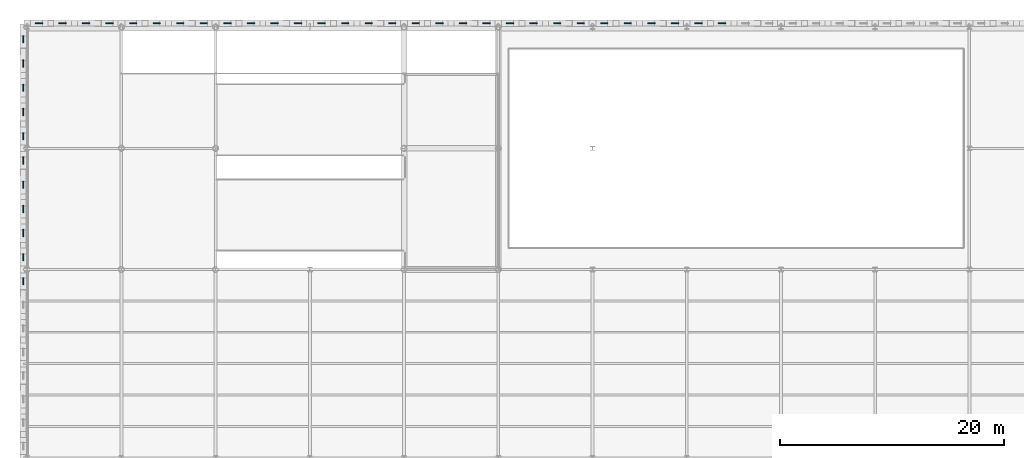
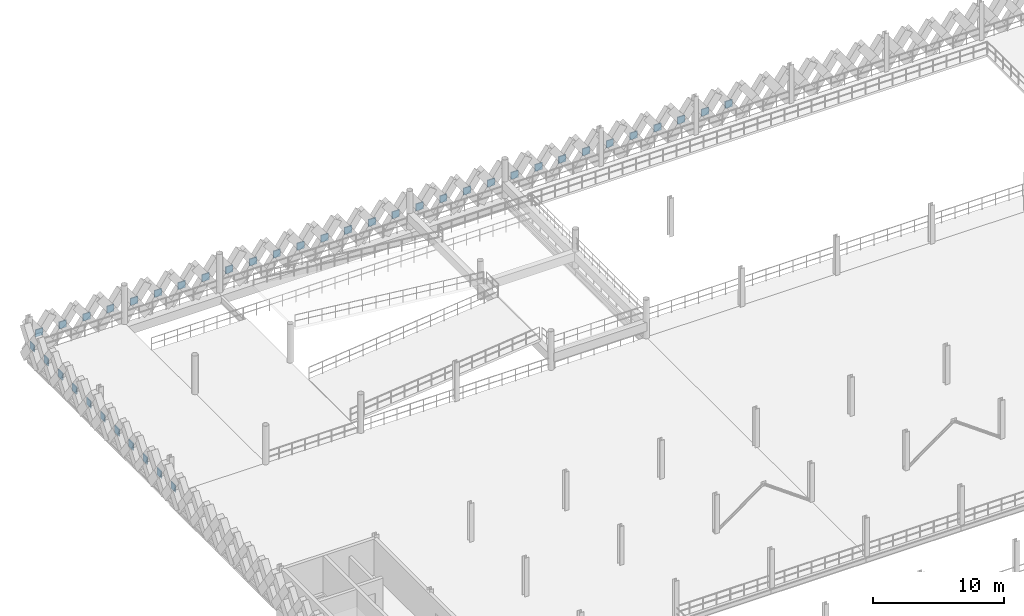
# One storey, part 80 of 101: 41 plates.
"""IFC4 building model written with IfcOpenShell, lengths in metres."""

from ifc_helpers import new_model, si_unit, direction, frame, origin, origin_2d, place, context, subcontext, project, spatial, rectangle, extrude, material, layer, layer_set, type_object, element, save


model = new_model("IFC4")

# Units and contexts
model_context = context("Model", 3, precision=1e-05, world=origin(), true_north=direction((0.0, 1.0)))
body_context = subcontext(model_context, "Body", "Model", "MODEL_VIEW")
ifc_project = project(units=[si_unit("LENGTHUNIT", "METRE"), si_unit("AREAUNIT", "SQUARE_METRE"), si_unit("VOLUMEUNIT", "CUBIC_METRE"), si_unit("PLANEANGLEUNIT", "RADIAN"), si_unit("MASSUNIT", "GRAM", prefix="KILO"), si_unit("THERMODYNAMICTEMPERATUREUNIT", "KELVIN"), si_unit("POWERUNIT", "WATT")], contexts=[model_context])

# Site, building, storey
site_placement = place(None, origin())
site = spatial("IfcSite", under=ifc_project, at=site_placement, CompositionType="ELEMENT")
building_placement = place(site_placement, origin())
building = spatial("IfcBuilding", under=site, at=building_placement, Name="Tembeka Court Mobility Hub", CompositionType="ELEMENT")
storey_placement = place(building_placement, frame((0.0, 0.0, 5.39990234375)))
storey = spatial("IfcBuildingStorey", under=building, at=storey_placement, Name="L01", CompositionType="ELEMENT", Elevation=5.39990234375)

# Plates
ifc_material = material(Name="Precast concrete C45/55", Category="concrete")
ifc_layer = layer(ifc_material, 0.090087890625)
ifc_layer_set = layer_set([ifc_layer], Name="Precast concrete C45/55")
plate_type = type_object("IfcPlateType", Name="PL-PC01", PredefinedType="SHEET", material=ifc_layer_set)
for number, where, z_axis, x_axis, name in (
    (1, (1.050048828125, 119.139892578125, 1.16015625), (0.0, 0.0, 1.0), (1.0, 0.0, 0.0), "Precast diamond lattice node plate PCN01 (L01-45)"),
    (2, (3.14990234375, 119.139892578125, 1.16015625), (0.0, 0.0, 1.0), (1.0, 0.0, 0.0), "Precast diamond lattice node plate PCN01 (L01-46)"),
    (3, (5.25, 119.139892578125, 1.16015625), (0.0, 0.0, 1.0), (1.0, 0.0, 0.0), "Precast diamond lattice node plate PCN01 (L01-47)"),
    (4, (7.35009765625, 119.139892578125, 1.16015625), (0.0, 0.0, 1.0), (1.0, 0.0, 0.0), "Precast diamond lattice node plate PCN01 (L01-48)"),
    (5, (9.449951171875, 119.139892578125, 1.16015625), (0.0, 0.0, 1.0), (1.0, 0.0, 0.0), "Precast diamond lattice node plate PCN01 (L01-49)"),
    (6, (11.550048828125, 119.139892578125, 1.16015625), (0.0, 0.0, 1.0), (1.0, 0.0, 0.0), "Precast diamond lattice node plate PCN01 (L01-50)"),
    (7, (13.64990234375, 119.139892578125, 1.16015625), (0.0, 0.0, 1.0), (1.0, 0.0, 0.0), "Precast diamond lattice node plate PCN01 (L01-51)"),
    (8, (15.75, 119.139892578125, 1.16015625), (0.0, 0.0, 1.0), (1.0, 0.0, 0.0), "Precast diamond lattice node plate PCN01 (L01-52)"),
    (9, (17.85009765625, 119.139892578125, 1.16015625), (0.0, 0.0, 1.0), (1.0, 0.0, 0.0), "Precast diamond lattice node plate PCN01 (L01-53)"),
    (10, (19.949951171875, 119.139892578125, 1.16015625), (0.0, 0.0, 1.0), (1.0, 0.0, 0.0), "Precast diamond lattice node plate PCN01 (L01-54)"),
    (11, (22.050048828125, 119.139892578125, 1.16015625), (0.0, 0.0, 1.0), (1.0, 0.0, 0.0), "Precast diamond lattice node plate PCN01 (L01-55)"),
    (12, (24.14990234375, 119.139892578125, 1.16015625), (0.0, 0.0, 1.0), (1.0, 0.0, 0.0), "Precast diamond lattice node plate PCN01 (L01-56)"),
    (13, (26.25, 119.139892578125, 1.16015625), (0.0, 0.0, 1.0), (1.0, 0.0, 0.0), "Precast diamond lattice node plate PCN01 (L01-57)"),
    (14, (28.35009765625, 119.139892578125, 1.16015625), (0.0, 0.0, 1.0), (1.0, 0.0, 0.0), "Precast diamond lattice node plate PCN01 (L01-58)"),
    (15, (30.449951171875, 119.139892578125, 1.16015625), (0.0, 0.0, 1.0), (1.0, 0.0, 0.0), "Precast diamond lattice node plate PCN01 (L01-59)"),
    (16, (32.550048828125, 119.139892578125, 1.16015625), (0.0, 0.0, 1.0), (1.0, 0.0, 0.0), "Precast diamond lattice node plate PCN01 (L01-60)"),
    (17, (34.64990234375, 119.139892578125, 1.16015625), (0.0, 0.0, 1.0), (1.0, 0.0, 0.0), "Precast diamond lattice node plate PCN01 (L01-61)"),
    (18, (36.75, 119.139892578125, 1.16015625), (0.0, 0.0, 1.0), (1.0, 0.0, 0.0), "Precast diamond lattice node plate PCN01 (L01-62)"),
    (19, (38.85009765625, 119.139892578125, 1.16015625), (0.0, 0.0, 1.0), (1.0, 0.0, 0.0), "Precast diamond lattice node plate PCN01 (L01-63)"),
    (20, (40.949951171875, 119.139892578125, 1.16015625), (0.0, 0.0, 1.0), (1.0, 0.0, 0.0), "Precast diamond lattice node plate PCN01 (L01-64)"),
    (21, (43.050048828125, 119.139892578125, 1.16015625), (0.0, 0.0, 1.0), (1.0, 0.0, 0.0), "Precast diamond lattice node plate PCN01 (L01-65)"),
    (22, (45.14990234375, 119.139892578125, 1.16015625), (0.0, 0.0, 1.0), (1.0, 0.0, 0.0), "Precast diamond lattice node plate PCN01 (L01-66)"),
    (23, (47.25, 119.139892578125, 1.16015625), (0.0, 0.0, 1.0), (1.0, 0.0, 0.0), "Precast diamond lattice node plate PCN01 (L01-67)"),
    (24, (49.35009765625, 119.139892578125, 1.16015625), (0.0, 0.0, 1.0), (1.0, 0.0, 0.0), "Precast diamond lattice node plate PCN01 (L01-68)"),
    (25, (51.449951171875, 119.139892578125, 1.16015625), (0.0, 0.0, 1.0), (1.0, 0.0, 0.0), "Precast diamond lattice node plate PCN01 (L01-69)"),
    (26, (53.550048828125, 119.139892578125, 1.16015625), (0.0, 0.0, 1.0), (1.0, 0.0, 0.0), "Precast diamond lattice node plate PCN01 (L01-70)"),
    (27, (55.64990234375, 119.139892578125, 1.16015625), (0.0, 0.0, 1.0), (1.0, 0.0, 0.0), "Precast diamond lattice node plate PCN01 (L01-71)"),
    (28, (57.75, 119.139892578125, 1.16015625), (0.0, 0.0, 1.0), (1.0, 0.0, 0.0), "Precast diamond lattice node plate PCN01 (L01-72)"),
    (29, (59.85009765625, 119.139892578125, 1.16015625), (0.0, 0.0, 1.0), (1.0, 0.0, 0.0), "Precast diamond lattice node plate PCN01 (L01-73)"),
    (30, (61.949951171875, 119.139892578125, 1.16015625), (0.0, 0.0, 1.0), (1.0, 0.0, 0.0), "Precast diamond lattice node plate PCN01 (L01-74)"),
):
    element("IfcPlate", number, at=place(storey_placement, frame(where, z_axis=z_axis, x_axis=x_axis)), inside=storey, type_object=plate_type, Name=name, PredefinedType="SHEET", context=body_context, shape_type="SweptSolid", body=[
        extrude(rectangle(XDim=0.64990234375, YDim=0.090087890625, at=origin_2d()), origin(), (0.0, 0.0, 1.0), 0.64990234375),
    ])
for number, where, z_axis, x_axis, name in (
    (31, (-0.340087890625, 96.14990234375, 1.16015625), (0.0, 0.0, 1.0), (1.0, 0.0, 0.0), "Precast diamond lattice node plate PCN01 (L01-134)"),
    (32, (-0.340087890625, 98.280029296875, 1.16015625), (0.0, 0.0, 1.0), (1.0, 0.0, 0.0), "Precast diamond lattice node plate PCN01 (L01-135)"),
    (33, (-0.340087890625, 100.43994140625, 1.16015625), (0.0, 0.0, 1.0), (1.0, 0.0, 0.0), "Precast diamond lattice node plate PCN01 (L01-136)"),
    (34, (-0.340087890625, 102.60009765625, 1.16015625), (0.0, 0.0, 1.0), (1.0, 0.0, 0.0), "Precast diamond lattice node plate PCN01 (L01-137)"),
    (35, (-0.340087890625, 104.760009765625, 1.16015625), (0.0, 0.0, 1.0), (1.0, 0.0, 0.0), "Precast diamond lattice node plate PCN01 (L01-138)"),
    (36, (-0.340087890625, 106.919921875, 1.16015625), (0.0, 0.0, 1.0), (1.0, 0.0, 0.0), "Precast diamond lattice node plate PCN01 (L01-139)"),
    (37, (-0.340087890625, 109.080078125, 1.16015625), (0.0, 0.0, 1.0), (1.0, 0.0, 0.0), "Precast diamond lattice node plate PCN01 (L01-140)"),
    (38, (-0.340087890625, 111.239990234375, 1.16015625), (0.0, 0.0, 1.0), (1.0, 0.0, 0.0), "Precast diamond lattice node plate PCN01 (L01-141)"),
    (39, (-0.340087890625, 113.39990234375, 1.16015625), (0.0, 0.0, 1.0), (1.0, 0.0, 0.0), "Precast diamond lattice node plate PCN01 (L01-142)"),
    (40, (-0.340087890625, 115.56005859375, 1.16015625), (0.0, 0.0, 1.0), (1.0, 0.0, 0.0), "Precast diamond lattice node plate PCN01 (L01-143)"),
    (41, (-0.340087890625, 117.719970703125, 1.16015625), (0.0, 0.0, 1.0), (1.0, 0.0, 0.0), "Precast diamond lattice node plate PCN01 (L01-144)"),
):
    element("IfcPlate", number, at=place(storey_placement, frame(where, z_axis=z_axis, x_axis=x_axis)), inside=storey, type_object=plate_type, Name=name, PredefinedType="SHEET", context=body_context, shape_type="SweptSolid", body=[
        extrude(rectangle(XDim=0.090087890625, YDim=0.64990234375, at=origin_2d()), origin(), (0.0, 0.0, 1.0), 0.64990234375),
    ])

save(model, "model.ifc")
